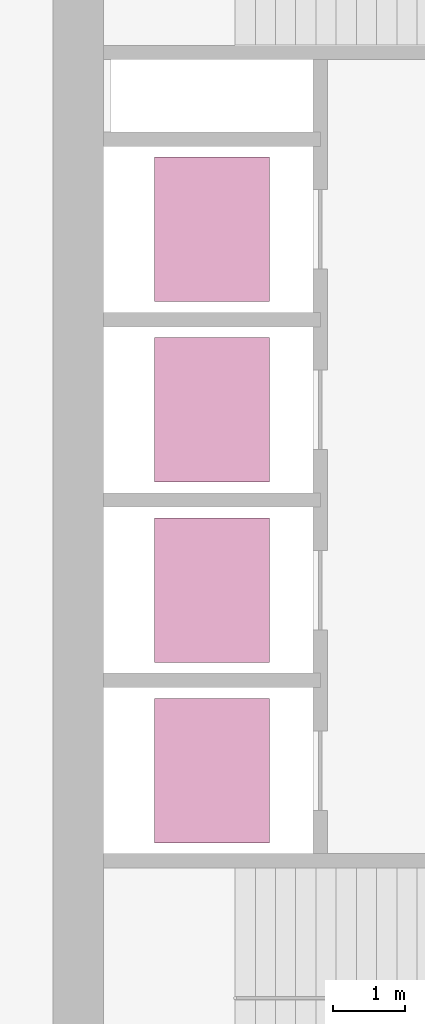
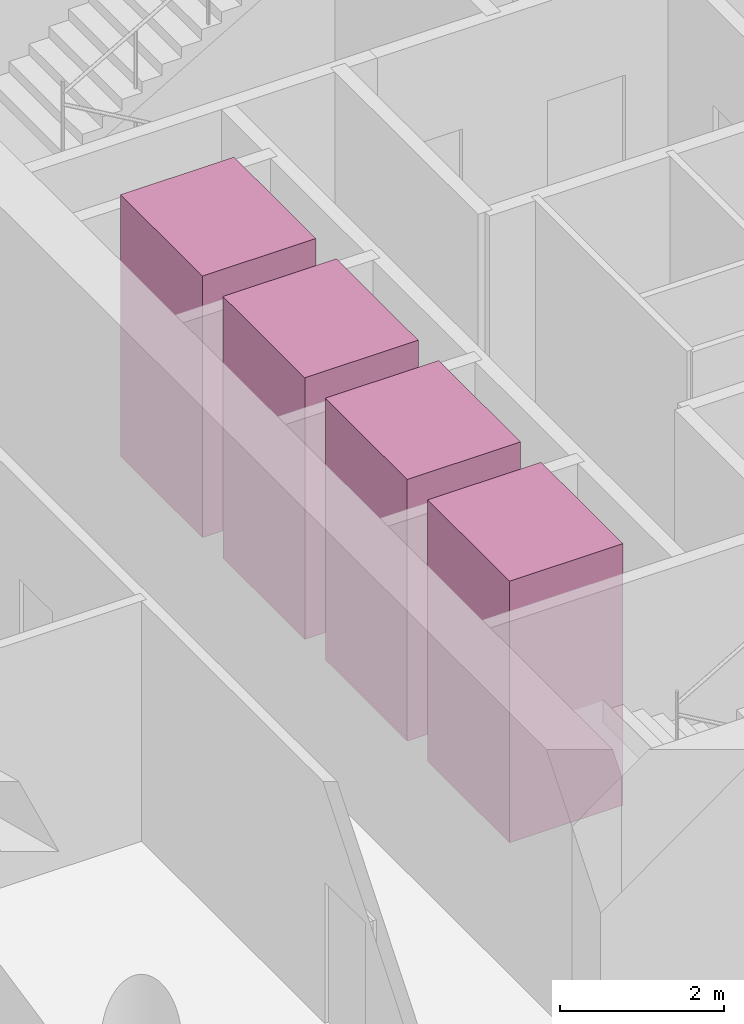
# One storey, part 10 of 10: 4 transport elements.
"""IFC4 building model written with IfcOpenShell, lengths in metres."""

from ifc_helpers import new_model, si_unit, direction, frame, origin, origin_2d, place, context, subcontext, project, spatial, rectangle, extrude, material, type_object, element, save


model = new_model("IFC4")

# Units and contexts
model_context = context("Model", 3, precision=1e-05, world=origin(), true_north=direction((0.0, 1.0)))
body_context = subcontext(model_context, "Body", "Model", "MODEL_VIEW")
ifc_project = project(units=[si_unit("LENGTHUNIT", "METRE"), si_unit("AREAUNIT", "SQUARE_METRE"), si_unit("VOLUMEUNIT", "CUBIC_METRE"), si_unit("PLANEANGLEUNIT", "RADIAN"), si_unit("MASSUNIT", "GRAM", prefix="KILO")], contexts=[model_context])

# Site, building, storey
site_placement = place(None, origin())
site = spatial("IfcSite", under=ifc_project, at=site_placement, CompositionType="ELEMENT")
building_placement = place(site_placement, origin())
building = spatial("IfcBuilding", under=site, at=building_placement, Name="Qaws Garden Tower", CompositionType="ELEMENT")
storey_placement = place(building_placement, frame((0.0, 0.0, 178.5)))
storey = spatial("IfcBuildingStorey", under=building, at=storey_placement, Name="L43", CompositionType="ELEMENT", Elevation=178.5)

# Transport elements
ifc_material = material(Name="Stainless steel 316", Category="steel")
transport_element_type = type_object("IfcTransportElementType", Name="Passenger lift car 2000x1600 1800 kg", PredefinedType="ELEVATOR", material=ifc_material)
for number, where, z_axis, x_axis, name in (
    (1, (10.199951171875, 13.64990234375, 0.0), (0.0, 0.0, 1.0), (1.0, 0.0, 0.0), "MR1"),
    (2, (10.199951171875, 16.14990234375, 0.0), (0.0, 0.0, 1.0), (1.0, 0.0, 0.0), "MR2"),
    (3, (10.199951171875, 18.64990234375, 0.0), (0.0, 0.0, 1.0), (1.0, 0.0, 0.0), "MR3"),
    (4, (10.199951171875, 21.14990234375, 0.0), (0.0, 0.0, 1.0), (1.0, 0.0, 0.0), "MR4"),
):
    element("IfcTransportElement", number, at=place(storey_placement, frame(where, z_axis=z_axis, x_axis=x_axis)), inside=storey, type_object=transport_element_type, Name=name, PredefinedType="ELEVATOR", context=body_context, shape_type="SweptSolid", body=[
        extrude(rectangle(XDim=1.60009765625, YDim=2.0, at=origin_2d()), origin(), (0.0, 0.0, 1.0), 3.89990234375),
    ])

save(model, "model.ifc")
